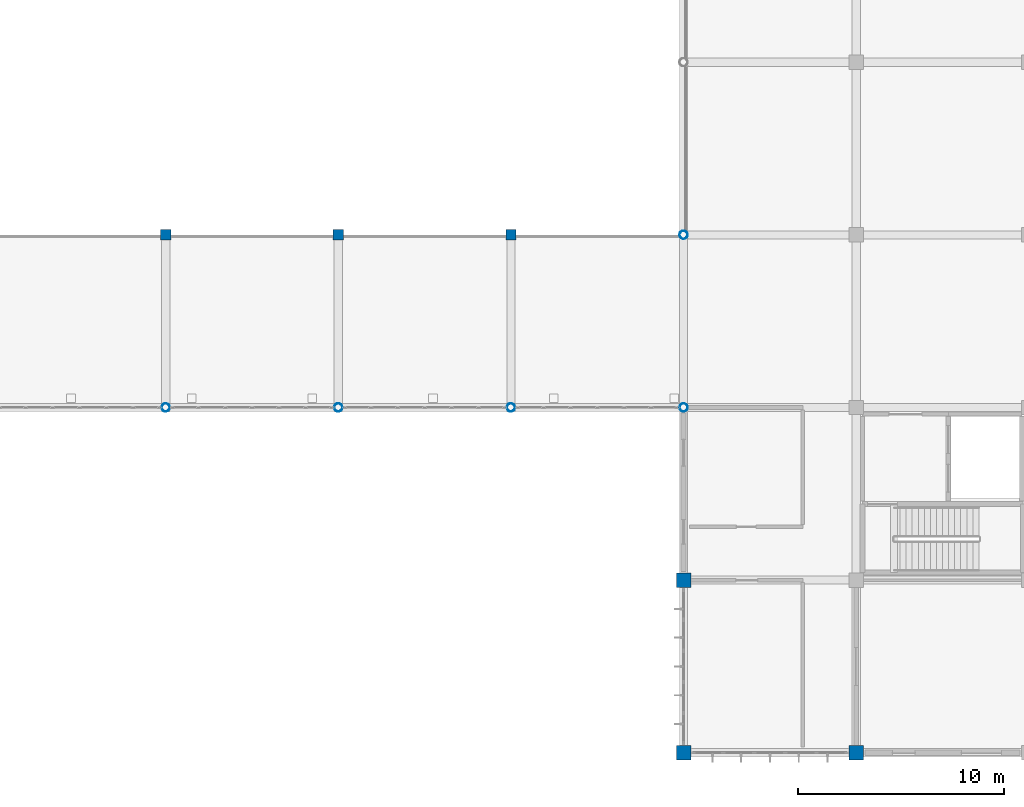
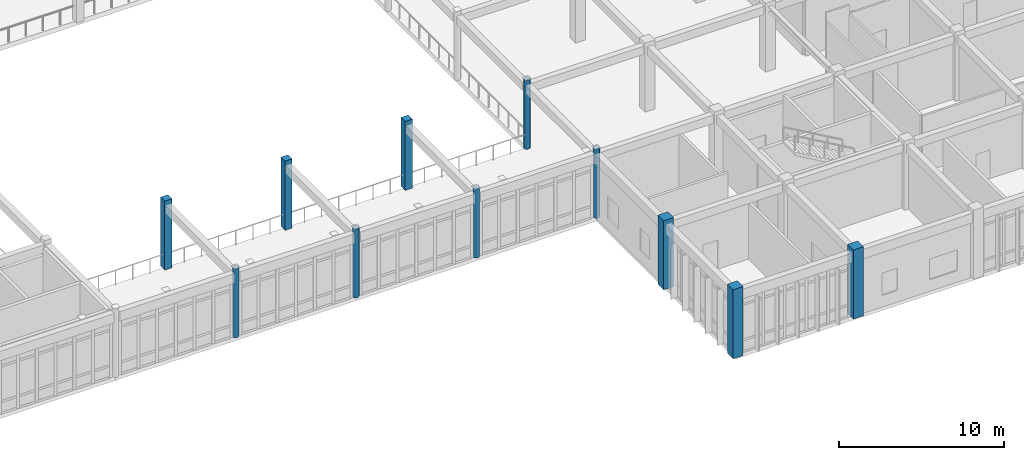
# One storey, part 4 of 134: 11 columns.
"""IFC4 building model written with IfcOpenShell, lengths in metres."""

from ifc_helpers import new_model, si_unit, direction, frame, origin, origin_2d, place, context, subcontext, project, spatial, rectangle, hollow_circle, extrude, material, material_profile, profile_set, type_object, element, save


model = new_model("IFC4")

# Units and contexts
model_context = context("Model", 3, precision=1e-05, world=origin(), true_north=direction((0.0, 1.0)))
body_context = subcontext(model_context, "Body", "Model", "MODEL_VIEW")
ifc_project = project(units=[si_unit("LENGTHUNIT", "METRE"), si_unit("AREAUNIT", "SQUARE_METRE"), si_unit("VOLUMEUNIT", "CUBIC_METRE"), si_unit("PLANEANGLEUNIT", "RADIAN"), si_unit("MASSUNIT", "GRAM", prefix="KILO")], contexts=[model_context])

# Site, building, storey
site_placement = place(None, origin())
site = spatial("IfcSite", under=ifc_project, at=site_placement, CompositionType="ELEMENT")
building_placement = place(site_placement, origin())
building = spatial("IfcBuilding", under=site, at=building_placement, Name="Bramfleet General Hospital", CompositionType="ELEMENT")
storey_placement = place(building_placement, frame((0.0, 0.0, 9.300048828125)))
storey = spatial("IfcBuildingStorey", under=building, at=storey_placement, Name="L02", CompositionType="ELEMENT", Elevation=9.300048828125)

# Columns
ifc_material_1 = material(Name="Steel S355", Category="steel")
ifc_material_profile_1 = material_profile(ifc_material_1, hollow_circle(Radius=0.203125, WallThickness=0.01611328125, at=origin_2d()), Name="CHS 406.4x16.0")
ifc_profile_set_1 = profile_set([ifc_material_profile_1], Name="Steel S355")
column_type_1 = type_object("IfcColumnType", Name="COL-CHS406", PredefinedType="COLUMN", material=ifc_profile_set_1)
for number, where, z_axis, x_axis, name in (
    (1, (67.199951171875, 16.800048828125, 0.0), (0.0, 0.0, 1.0), (1.0, 0.0, 0.0), "Column COL-L02-08-02"),
    (2, (75.60009765625, 16.800048828125, 0.0), (0.0, 0.0, 1.0), (1.0, 0.0, 0.0), "Column COL-L02-09-02"),
    (3, (84.0, 16.800048828125, 0.0), (0.0, 0.0, 1.0), (1.0, 0.0, 0.0), "Column COL-L02-10-02"),
    (4, (92.39990234375, 16.800048828125, 0.0), (0.0, 0.0, 1.0), (1.0, 0.0, 0.0), "Column COL-L02-11-02"),
    (5, (92.39990234375, 25.199951171875, 0.0), (0.0, 0.0, 1.0), (1.0, 0.0, 0.0), "Column COL-L02-11-03"),
):
    element("IfcColumn", number, at=place(storey_placement, frame(where, z_axis=z_axis, x_axis=x_axis)), inside=storey, type_object=column_type_1, Name=name, PredefinedType="COLUMN", context=body_context, shape_type="SweptSolid", body=[
        extrude(hollow_circle(Radius=0.203125, WallThickness=0.01611328125, at=origin_2d()), origin(), (0.0, 0.0, 1.0), 5.099853515625),
    ])
ifc_material_2 = material(Name="Concrete C40/50", Category="concrete")
ifc_material_profile_2 = material_profile(ifc_material_2, rectangle(XDim=0.5, YDim=0.5, at=origin_2d()), Name="RC COL 500x500")
ifc_profile_set_2 = profile_set([ifc_material_profile_2], Name="Concrete C40/50")
column_type_2 = type_object("IfcColumnType", Name="COL-RC500", PredefinedType="COLUMN", material=ifc_profile_set_2)
for number, where, z_axis, x_axis, name in (
    (6, (67.199951171875, 25.199951171875, 0.0), (0.0, 0.0, 1.0), (1.0, 0.0, 0.0), "Column COL-L02-08-03"),
    (7, (75.60009765625, 25.199951171875, 0.0), (0.0, 0.0, 1.0), (1.0, 0.0, 0.0), "Column COL-L02-09-03"),
    (8, (84.0, 25.199951171875, 0.0), (0.0, 0.0, 1.0), (1.0, 0.0, 0.0), "Column COL-L02-10-03"),
):
    element("IfcColumn", number, at=place(storey_placement, frame(where, z_axis=z_axis, x_axis=x_axis)), inside=storey, type_object=column_type_2, Name=name, PredefinedType="COLUMN", context=body_context, shape_type="SweptSolid", body=[
        extrude(rectangle(XDim=0.5, YDim=0.5, at=origin_2d()), origin(), (0.0, 0.0, 1.0), 5.099853515625),
    ])
ifc_material_profile_3 = material_profile(ifc_material_2, rectangle(XDim=0.699951171875, YDim=0.699951171875, at=origin_2d()), Name="RC COL 700x700")
ifc_profile_set_3 = profile_set([ifc_material_profile_3], Name="Concrete C40/50")
column_type_3 = type_object("IfcColumnType", Name="COL-RC700", PredefinedType="COLUMN", material=ifc_profile_set_3)
for number, where, z_axis, x_axis, name in (
    (9, (92.39990234375, 0.0, 0.0), (0.0, 0.0, 1.0), (1.0, 0.0, 0.0), "Column COL-L02-11-00"),
    (10, (92.39990234375, 8.39990234375, 0.0), (0.0, 0.0, 1.0), (1.0, 0.0, 0.0), "Column COL-L02-11-01"),
    (11, (100.800048828125, 0.0, 0.0), (0.0, 0.0, 1.0), (1.0, 0.0, 0.0), "Column COL-L02-12-00"),
):
    element("IfcColumn", number, at=place(storey_placement, frame(where, z_axis=z_axis, x_axis=x_axis)), inside=storey, type_object=column_type_3, Name=name, PredefinedType="COLUMN", context=body_context, shape_type="SweptSolid", body=[
        extrude(rectangle(XDim=0.699951171875, YDim=0.699951171875, at=origin_2d()), origin(), (0.0, 0.0, 1.0), 5.099853515625),
    ])

save(model, "model.ifc")
